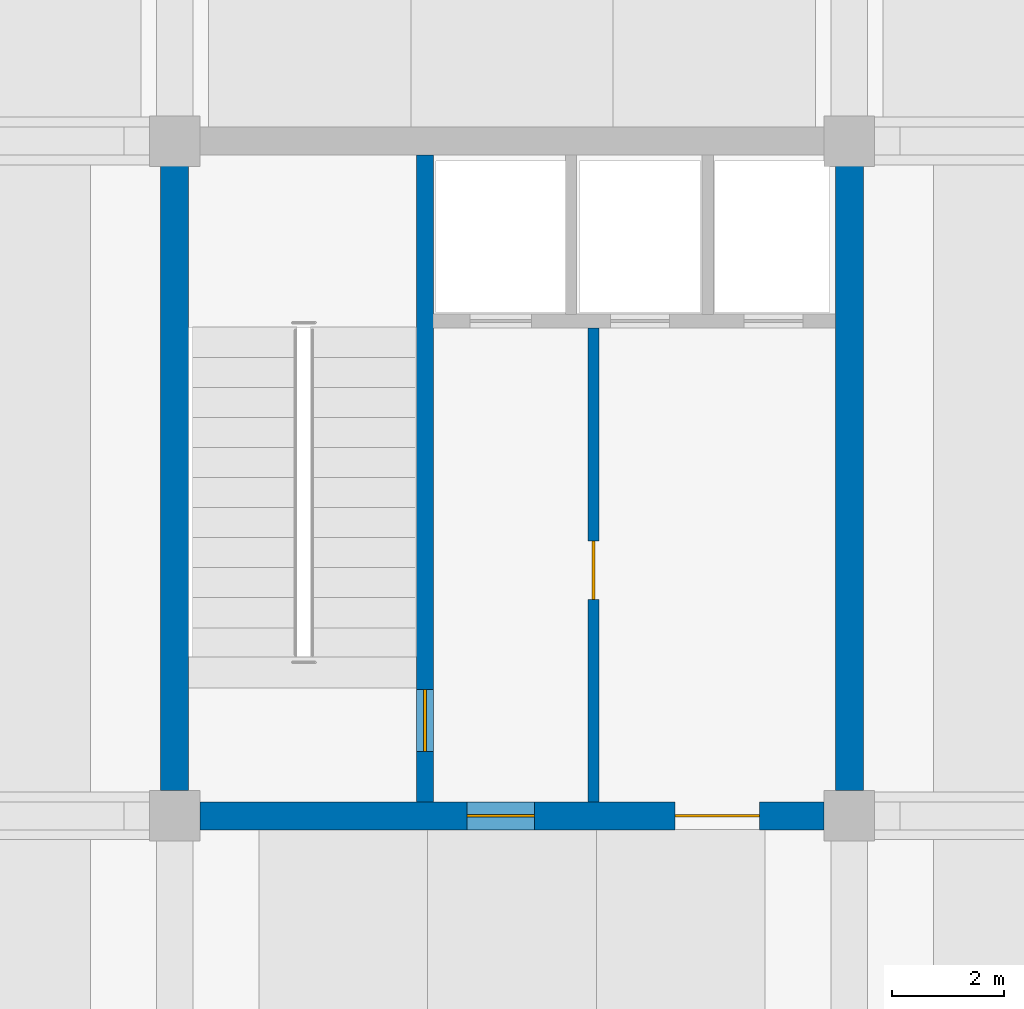
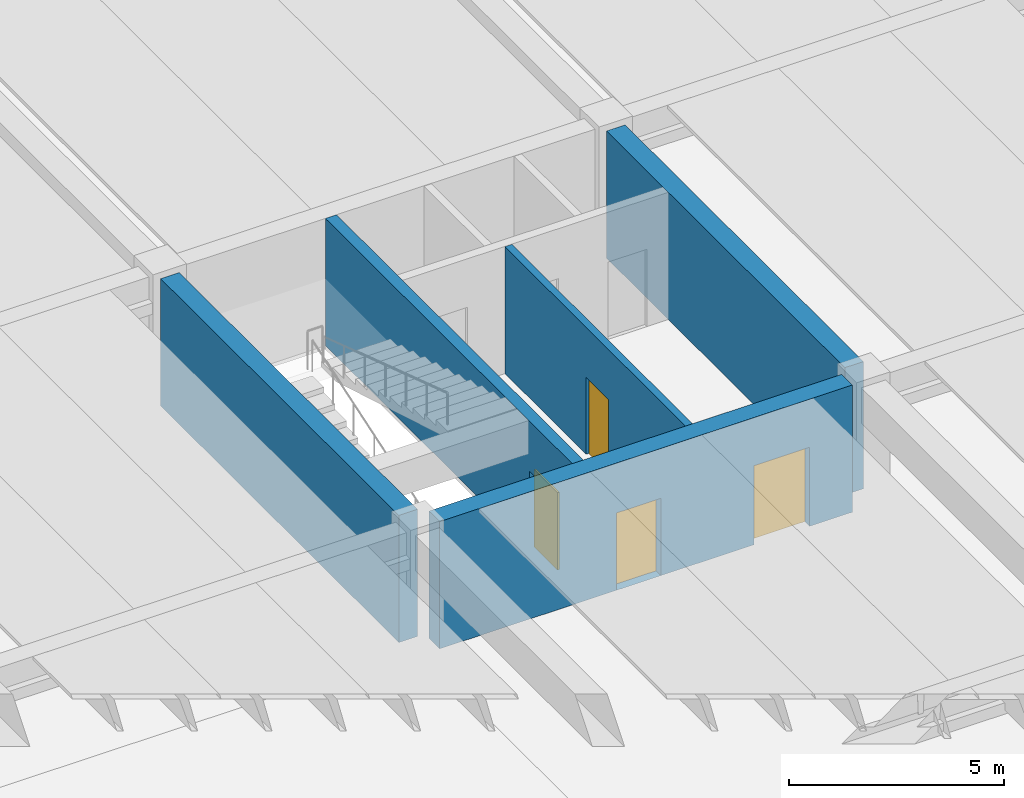
# One storey, part 9 of 19: 5 walls, 4 doors, 4 openings.
"""IFC4 building model written with IfcOpenShell, lengths in metres."""

from ifc_helpers import new_model, si_unit, direction, frame, frame_2d, origin, place, context, subcontext, project, spatial, rectangle, extrude, material, layer, layer_set, type_object, element, fill, save


model = new_model("IFC4")

# Units and contexts
model_context = context("Model", 3, precision=1e-05, world=origin(), true_north=direction((0.0, 1.0)))
body_context = subcontext(model_context, "Body", "Model", "MODEL_VIEW")
ifc_project = project(units=[si_unit("LENGTHUNIT", "METRE"), si_unit("AREAUNIT", "SQUARE_METRE"), si_unit("VOLUMEUNIT", "CUBIC_METRE"), si_unit("PLANEANGLEUNIT", "RADIAN"), si_unit("MASSUNIT", "GRAM", prefix="KILO")], contexts=[model_context])

# Site, building, storey
site_placement = place(None, origin())
site = spatial("IfcSite", under=ifc_project, at=site_placement, CompositionType="ELEMENT")
building_placement = place(site_placement, origin())
building = spatial("IfcBuilding", under=site, at=building_placement, Name="Girod Span Mobility Hub", CompositionType="ELEMENT")
storey_placement = place(building_placement, frame((0.0, 0.0, 13.39990234375)))
storey = spatial("IfcBuildingStorey", under=building, at=storey_placement, Name="L03", CompositionType="ELEMENT", Elevation=13.39990234375)

# Wall, openings, doors
ifc_material_1 = material(Name="Concrete C40/50", Category="concrete")
ifc_layer_1 = layer(ifc_material_1, 0.5)
ifc_layer_set_1 = layer_set([ifc_layer_1], Name="Concrete C40/50")
wall_type_1 = type_object("IfcWallType", Name="W-CW-500", PredefinedType="SHEAR", material=ifc_layer_set_1)
wall_1_placement = place(storey_placement, frame((108.447021484375, 57.0, 0.0), z_axis=(0.0, 0.0, 1.0), x_axis=(1.0, 0.0, 0.0)))
wall_1 = element("IfcWall", 1, at=wall_1_placement, inside=storey, type_object=wall_type_1, Name="Core C2 Shear Wall S L03", PredefinedType="SHEAR", context=body_context, shape_type="SweptSolid", body=[
    extrude(rectangle(XDim=11.10595703125, YDim=0.5, at=frame_2d((5.552978515625, 0.0))), origin(), (0.0, 0.0, 1.0), 3.6181640625),
])
opening_1_placement = place(wall_1_placement, frame((4.7529296875, 0.0, 0.0)))
opening_1 = element("IfcOpeningElement", 2, at=opening_1_placement, cuts=wall_1, Name="Opening D-FL-C2-L03", PredefinedType="OPENING", context=body_context, shape_type="SweptSolid", body=[
    extrude(rectangle(XDim=1.199951171875, YDim=2.199951171875, at=frame_2d((0.60009765625, 1.10009765625))), frame((0.0, 0.264892578125, 0.0), z_axis=(0.0, -1.0, 0.0), x_axis=(1.0, 0.0, 0.0)), (0.0, 0.0, 1.0), 0.530029296875),
])
opening_2_placement = place(wall_1_placement, frame((8.452880859375, 0.0, 0.0)))
opening_2 = element("IfcOpeningElement", 3, at=opening_2_placement, cuts=wall_1, Name="Opening D-LB-C2-L03", PredefinedType="OPENING", context=body_context, shape_type="SweptSolid", body=[
    extrude(rectangle(XDim=1.5, YDim=2.25, at=frame_2d((0.75, 1.125))), frame((0.0, 0.264892578125, 0.0), z_axis=(0.0, -1.0, 0.0), x_axis=(1.0, 0.0, 0.0)), (0.0, 0.0, 1.0), 0.530029296875),
])
ifc_material_2 = material(Name="Fire-Rated Insulated Hollow Metal Steel", Category="steel")
door_type_1 = type_object("IfcDoorType", Name="DT-FD-03", OperationType="DOUBLE_DOOR_SINGLE_SWING", PredefinedType="DOOR", material=ifc_material_2)
door_1_placement = place(opening_2_placement, origin())
door_1 = element("IfcDoor", 4, at=door_1_placement, inside=storey, type_object=door_type_1, Name="Lift Lobby Entry Door C2 L03", OperationType="DOUBLE_DOOR_SINGLE_SWING", OverallHeight=2.25, OverallWidth=1.5, PredefinedType="DOOR", context=body_context, shape_type="SweptSolid", body=[
    extrude(rectangle(XDim=1.5, YDim=2.25, at=frame_2d((0.75, 1.125))), frame((0.0, 0.02490234375, 0.0), z_axis=(0.0, -1.0, 0.0), x_axis=(1.0, 0.0, 0.0)), (0.0, 0.0, 1.0), 0.050048828125),
])
fill(opening_2, door_1)
ifc_material_3 = material(Name="Fire-Rated Insulated Hollow Metal Steel", Category="steel")
door_type_2 = type_object("IfcDoorType", Name="DT-FD-05", OperationType="NOTDEFINED", PredefinedType="DOOR", material=ifc_material_3)
door_2_placement = place(opening_1_placement, origin())
door_2 = element("IfcDoor", 5, at=door_2_placement, inside=storey, type_object=door_type_2, Name="Firefighting Lobby Entry Door C2 L03", OperationType="SINGLE_SWING_RIGHT", OverallHeight=2.199951171875, OverallWidth=1.199951171875, PredefinedType="DOOR", context=body_context, shape_type="SweptSolid", body=[
    extrude(rectangle(XDim=1.199951171875, YDim=2.199951171875, at=frame_2d((0.60009765625, 1.10009765625))), frame((0.0, 0.02490234375, 0.0), z_axis=(0.0, -1.0, 0.0), x_axis=(1.0, 0.0, 0.0)), (0.0, 0.0, 1.0), 0.050048828125),
])
fill(opening_1, door_2)

# Walls
for number, where, z_axis, x_axis, name in (
    (6, (108.0, 57.447021484375, 0.0), (0.0, 0.0, 1.0), (0.0, 1.0, 0.0), "Core C2 Shear Wall W L03"),
    (7, (120.0, 57.447021484375, 0.0), (0.0, 0.0, 1.0), (0.0, 1.0, 0.0), "Core C2 Shear Wall E L03"),
):
    element("IfcWall", number, at=place(storey_placement, frame(where, z_axis=z_axis, x_axis=x_axis)), inside=storey, type_object=wall_type_1, Name=name, PredefinedType="SHEAR", context=body_context, shape_type="SweptSolid", body=[
        extrude(rectangle(XDim=11.10595703125, YDim=0.5, at=frame_2d((5.552978515625, 0.0))), origin(), (0.0, 0.0, 1.0), 3.6181640625),
    ])

# Wall, opening, door
ifc_material_4 = material(Name="Concrete C40/50", Category="concrete")
ifc_layer_2 = layer(ifc_material_4, 0.18994140625)
ifc_layer_set_2 = layer_set([ifc_layer_2], Name="Concrete C40/50")
wall_type_2 = type_object("IfcWallType", Name="W-FL-190", PredefinedType="SOLIDWALL", material=ifc_layer_set_2)
wall_2_placement = place(storey_placement, frame((115.449951171875, 57.25, 0.0), z_axis=(0.0, 0.0, 1.0), x_axis=(0.0, 1.0, 0.0)))
wall_2 = element("IfcWall", 8, at=wall_2_placement, inside=storey, type_object=wall_type_2, Name="Core C2 Firefighting Lobby Wall L03", PredefinedType="SOLIDWALL", context=body_context, shape_type="SweptSolid", body=[
    extrude(rectangle(XDim=8.429931640625, YDim=0.18994140625, at=frame_2d((4.21484375, 0.0))), origin(), (0.0, 0.0, 1.0), 3.608154296875),
])
opening_3_placement = place(wall_2_placement, frame((3.60009765625, 0.0, 0.0)))
opening_3 = element("IfcOpeningElement", 9, at=opening_3_placement, cuts=wall_2, Name="Opening D-FLX-C2-L03", PredefinedType="OPENING", context=body_context, shape_type="SweptSolid", body=[
    extrude(rectangle(XDim=1.0400390625, YDim=2.179931640625, at=frame_2d((0.52001953125, 1.08984375))), frame((0.0, 0.10986328125, 0.0), z_axis=(0.0, -1.0, 0.0), x_axis=(1.0, 0.0, 0.0)), (0.0, 0.0, 1.0), 0.219970703125),
])
ifc_material_5 = material(Name="Fire-Rated Insulated Hollow Metal Steel", Category="steel")
door_type_3 = type_object("IfcDoorType", Name="DT-FD-02", OperationType="NOTDEFINED", PredefinedType="DOOR", material=ifc_material_5)
door_3_placement = place(opening_3_placement, origin())
door_3 = element("IfcDoor", 10, at=door_3_placement, inside=storey, type_object=door_type_3, Name="Firefighting Lobby Interconnect Door C2 L03", OperationType="SINGLE_SWING_RIGHT", OverallHeight=2.179931640625, OverallWidth=1.0400390625, PredefinedType="DOOR", context=body_context, shape_type="SweptSolid", body=[
    extrude(rectangle(XDim=1.0400390625, YDim=2.179931640625, at=frame_2d((0.52001953125, 1.08984375))), frame((0.0, 0.02490234375, 0.0), z_axis=(0.0, -1.0, 0.0), x_axis=(1.0, 0.0, 0.0)), (0.0, 0.0, 1.0), 0.050048828125),
])
fill(opening_3, door_3)

ifc_material_6 = material(Name="Concrete C40/50", Category="concrete")
ifc_layer_3 = layer(ifc_material_6, 0.300048828125)
ifc_layer_set_3 = layer_set([ifc_layer_3], Name="Concrete C40/50")
wall_type_3 = type_object("IfcWallType", Name="W-SH-300", PredefinedType="SHEAR", material=ifc_layer_set_3)
wall_3_placement = place(storey_placement, frame((112.449951171875, 57.2470703125, 0.0), z_axis=(0.0, 0.0, 1.0), x_axis=(0.0, 1.0, 0.0)))
wall_3 = element("IfcWall", 11, at=wall_3_placement, inside=storey, type_object=wall_type_3, Name="Core C2 Stairwell Spine Wall L03", PredefinedType="SHEAR", context=body_context, shape_type="SweptSolid", body=[
    extrude(rectangle(XDim=11.505859375, YDim=0.300048828125, at=frame_2d((5.7529296875, 0.0))), origin(), (0.0, 0.0, 1.0), 3.6181640625),
])
opening_4_placement = place(wall_3_placement, frame((0.89990234375, 0.0, 0.0)))
opening_4 = element("IfcOpeningElement", 12, at=opening_4_placement, cuts=wall_3, Name="Opening D-ST-2-L03", PredefinedType="OPENING", context=body_context, shape_type="SweptSolid", body=[
    extrude(rectangle(XDim=1.10009765625, YDim=2.199951171875, at=frame_2d((0.550048828125, 1.10009765625))), frame((0.0, 0.1650390625, 0.0), z_axis=(0.0, -1.0, 0.0), x_axis=(1.0, 0.0, 0.0)), (0.0, 0.0, 1.0), 0.330078125),
])
ifc_material_7 = material(Name="Fire-Rated Insulated Hollow Metal Steel", Category="steel")
door_type_4 = type_object("IfcDoorType", Name="DT-FD-01", OperationType="NOTDEFINED", PredefinedType="DOOR", material=ifc_material_7)
door_4_placement = place(opening_4_placement, origin())
door_4 = element("IfcDoor", 13, at=door_4_placement, inside=storey, type_object=door_type_4, Name="Stair ST-2 Fire Door L03", OperationType="SINGLE_SWING_LEFT", OverallHeight=2.199951171875, OverallWidth=1.10009765625, PredefinedType="DOOR", context=body_context, shape_type="SweptSolid", body=[
    extrude(rectangle(XDim=1.10009765625, YDim=2.199951171875, at=frame_2d((0.550048828125, 1.10009765625))), frame((0.0, 0.02490234375, 0.0), z_axis=(0.0, -1.0, 0.0), x_axis=(1.0, 0.0, 0.0)), (0.0, 0.0, 1.0), 0.050048828125),
])
fill(opening_4, door_4)

save(model, "model.ifc")
